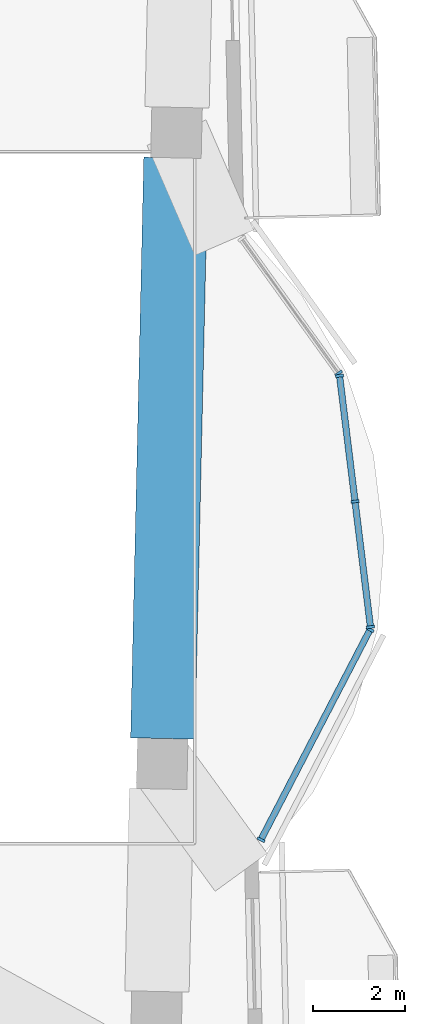
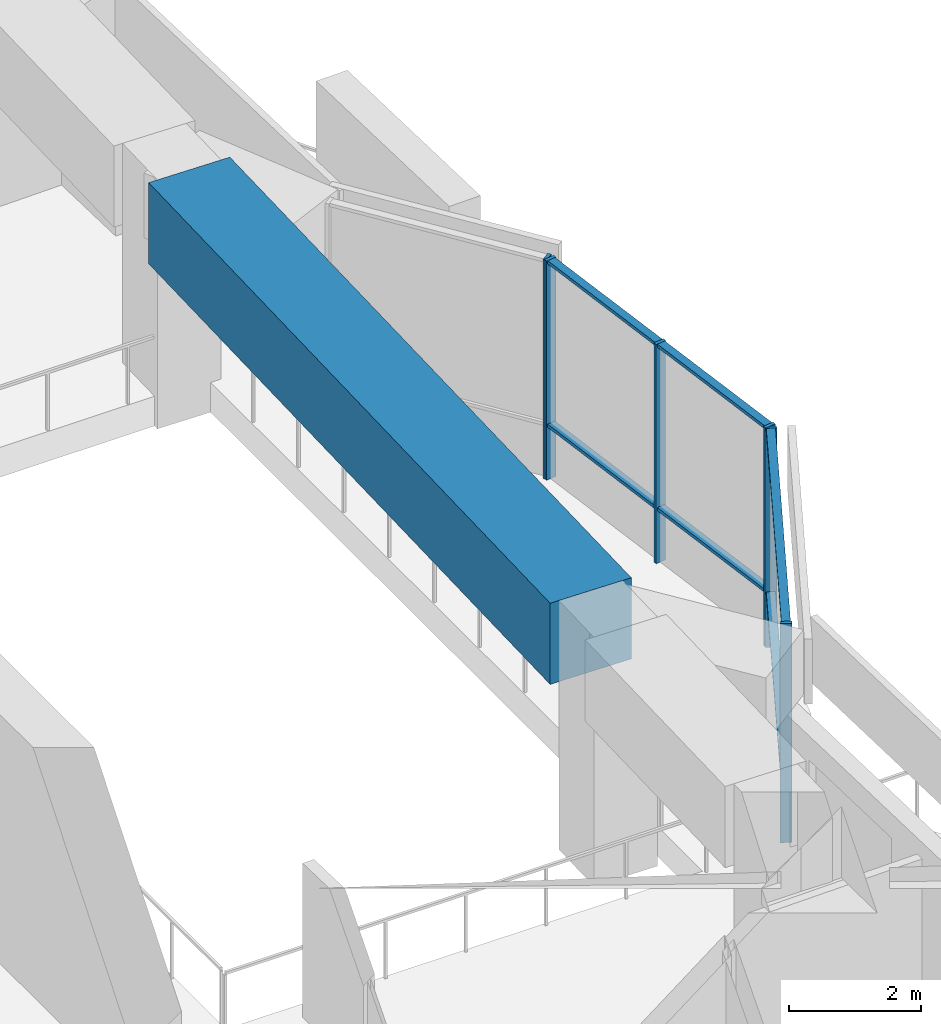
# One storey, part 4 of 19: 12 members, 1 beam, 3 elements without a shape of their own.
"""IFC4 building model written with IfcOpenShell, lengths in metres."""

import ifcopenshell
import ifcopenshell.guid

model = None  # the IFC model being written
_history = None  # IfcOwnerHistory: only IFC2X3 demands one
_inside = {}  # id of a spatial element -> (the spatial element, [elements in it])
_under = {}  # id of a project, library or spatial element -> (it, [spatial elements below it])
_declared = {}  # id of a project -> (the project, [libraries it declares])
_typed = {}  # id of a type object -> (the type object, [elements of that type])
_made_of = {}  # id of a material, layer set ... -> (it, [elements and type objects made of it])


def new_model(schema):
    """Start an empty IFC model of exactly this schema.

    Asked for "IFC4X3", IfcOpenShell would pick the latest addendum, in which some entities
    have other attributes; the version numbers below select the first issue.
    IFC2X3 requires an IfcOwnerHistory on every rooted entity: one is made here for all.
    """
    global model, _history
    if schema == "IFC4X3":
        model = ifcopenshell.file(schema_version=(4, 3, 0, 0))
    else:
        model = ifcopenshell.file(schema=schema)
    _inside.clear()
    _under.clear()
    _declared.clear()
    _typed.clear()
    _made_of.clear()
    _history = None
    if model.schema == "IFC2X3":
        org = make("IfcOrganization", Name="unknown")
        user = make(
            "IfcPersonAndOrganization",
            ThePerson=make("IfcPerson", FamilyName="unknown"),
            TheOrganization=org,
        )
        app = make(
            "IfcApplication",
            ApplicationDeveloper=org,
            Version="unknown",
            ApplicationFullName="unknown",
            ApplicationIdentifier="unknown",
        )
        _history = make(
            "IfcOwnerHistory",
            OwningUser=user,
            OwningApplication=app,
            ChangeAction="ADDED",
            CreationDate=0,
        )
    return model


def make(cls, **values):
    """One entity of the class cls with the attributes given. An attribute that is None is left unset."""
    return model.create_entity(
        cls, **{name: value for name, value in values.items() if value is not None}
    )


def rooted(cls, **values):
    """An entity with a GlobalId (a new one), such as an element, a storey or a relation."""
    return make(cls, GlobalId=ifcopenshell.guid.new(), OwnerHistory=_history, **values)


def si_unit(unit_type, name, prefix=None):
    """IfcSIUnit, for example si_unit("LENGTHUNIT", "METRE", prefix="MILLI")."""
    return make("IfcSIUnit", UnitType=unit_type, Prefix=prefix, Name=name)


def assignment(units):
    """IfcUnitAssignment: the units of a project."""
    return None if units is None else make("IfcUnitAssignment", Units=units)


def point(xyz):
    """IfcCartesianPoint."""
    return None if xyz is None else make("IfcCartesianPoint", Coordinates=xyz)


def direction(xyz):
    """IfcDirection."""
    return None if xyz is None else make("IfcDirection", DirectionRatios=xyz)


def frame(location, z_axis=None, x_axis=None):
    """IfcAxis2Placement3D, a coordinate frame: its origin and axes. An axis left out is left unset."""
    return make(
        "IfcAxis2Placement3D",
        Location=point(location),
        Axis=direction(z_axis),
        RefDirection=direction(x_axis),
    )


def frame_2d(location, x_axis=None):
    """IfcAxis2Placement2D, a coordinate frame in the plane: its origin and x axis."""
    return make(
        "IfcAxis2Placement2D", Location=point(location), RefDirection=direction(x_axis)
    )


def origin():
    """The frame at (0, 0, 0) with its axes left unset."""
    return frame((0.0, 0.0, 0.0))


def origin_2d():
    """The frame at (0, 0) in the plane with its x axis left unset."""
    return frame_2d((0.0, 0.0))


def place(relative_to, where):
    """IfcLocalPlacement: puts the frame where relative to a parent placement (None: the world)."""
    return make(
        "IfcLocalPlacement", PlacementRelTo=relative_to, RelativePlacement=where
    )


def context(
    kind, dimensions, precision=None, world=None, true_north=None, identifier=None
):
    """IfcGeometricRepresentationContext, for example the 3D "Model" context."""
    return make(
        "IfcGeometricRepresentationContext",
        ContextIdentifier=identifier,
        ContextType=kind,
        CoordinateSpaceDimension=dimensions,
        Precision=precision,
        WorldCoordinateSystem=world,
        TrueNorth=true_north,
    )


def subcontext(parent, identifier, kind, view, scale=None):
    """IfcGeometricRepresentationSubContext, for example "Body" below "Model"."""
    return make(
        "IfcGeometricRepresentationSubContext",
        ContextIdentifier=identifier,
        ContextType=kind,
        ParentContext=parent,
        TargetScale=scale,
        TargetView=view,
    )


def project(units=None, contexts=None):
    """IfcProject with its units and contexts."""
    return rooted(
        "IfcProject",
        Name="project",
        RepresentationContexts=contexts,
        UnitsInContext=assignment(units),
    )


def spatial(cls, under=None, at=None, **own):
    """A site, building, storey or space (cls), placed at a placement, below another one or the project."""
    s = rooted(cls, ObjectPlacement=at, **own)
    if under is not None:
        _under.setdefault(under.id(), (under, []))[1].append(s)
    return s


def profile(cls, at=None, kind="AREA", **sizes):
    """A parametric profile (cls). Its sizes go by their IFC names, for example OverallWidth=200.0."""
    return make(cls, ProfileType=kind, Position=at, **sizes)


def rectangle(**sizes):
    """IfcRectangleProfileDef."""
    return profile("IfcRectangleProfileDef", **sizes)


def extrude(swept, where, along, depth):
    """IfcExtrudedAreaSolid: the profile swept, set in the frame where, extruded along a direction by depth."""
    return make(
        "IfcExtrudedAreaSolid",
        SweptArea=swept,
        Position=where,
        ExtrudedDirection=direction(along),
        Depth=depth,
    )


def shape(context_of_items, identifier, shape_type, items):
    """IfcShapeRepresentation: the items that make up one representation, for example the "Body"."""
    return make(
        "IfcShapeRepresentation",
        ContextOfItems=context_of_items,
        RepresentationIdentifier=identifier,
        RepresentationType=shape_type,
        Items=items,
    )


def material(Name=None, Category=None):
    """IfcMaterial."""
    return make("IfcMaterial", Name=Name, Category=Category)


def material_profile(
    of_material, cross_section, Name=None, Category=None, Priority=None
):
    """IfcMaterialProfile: a cross section and its material."""
    return make(
        "IfcMaterialProfile",
        Name=Name,
        Material=of_material,
        Profile=cross_section,
        Priority=Priority,
        Category=Category,
    )


def profile_set(profiles, Name=None, composite=None):
    """IfcMaterialProfileSet."""
    return make(
        "IfcMaterialProfileSet",
        Name=Name,
        MaterialProfiles=profiles,
        CompositeProfile=composite,
    )


def made_of(thing, what):
    """Note that an element or type object is made of a material, layer set ...; save() writes the relation."""
    if what is not None:
        _made_of.setdefault(what.id(), (what, []))[1].append(thing)
    return thing


def type_object(cls, material=None, **own):
    """A type object (cls), such as IfcWallType, which elements share."""
    return made_of(rooted(cls, **own), material)


def element(
    cls,
    number,
    at=None,
    inside=None,
    cuts=None,
    type_object=None,
    material=None,
    context=None,
    identifier="Body",
    shape_type=None,
    held_by="IfcProductDefinitionShape",
    body=None,
    shapes=None,
    **own,
):
    """One element of the class cls, such as IfcWall. Its Tag is "e" and its number.

    at: its placement. inside: the storey or other place that contains it. cuts: it is an
    opening in that element (IfcRelVoidsElement). A single representation is given by context,
    identifier, shape_type and body (its items); several are given by shapes. held_by: the class
    of the entity that holds the representations. save() writes the other relations.
    """
    e = rooted(cls, Tag="e%d" % number, ObjectPlacement=at, **own)
    if body is not None:
        shapes = [shape(context, identifier, shape_type, body)]
    if shapes is not None:
        e.Representation = make(held_by, Representations=shapes)
    if inside is not None:
        _inside.setdefault(inside.id(), (inside, []))[1].append(e)
    if cuts is not None:
        rooted(
            "IfcRelVoidsElement", RelatingBuildingElement=cuts, RelatedOpeningElement=e
        )
    if type_object is not None:
        _typed.setdefault(type_object.id(), (type_object, []))[1].append(e)
    return made_of(e, material)


def aggregate(whole, parts):
    """IfcRelAggregates: a whole, such as a stair, and the parts it consists of."""
    return rooted("IfcRelAggregates", RelatingObject=whole, RelatedObjects=parts)


def save(model, path):
    """Write the relations noted so far, then the file.

    IfcRelAggregates (storeys below a building ...), IfcRelContainedInSpatialStructure (elements
    in a storey), IfcRelDefinesByType, IfcRelAssociatesMaterial and IfcRelDeclares: one each for
    every whole, place, type object, material and project.
    """
    for whole, parts in _under.values():
        aggregate(whole, parts)
    for where, things in _inside.values():
        rooted(
            "IfcRelContainedInSpatialStructure",
            RelatedElements=things,
            RelatingStructure=where,
        )
    for kind, things in _typed.values():
        rooted("IfcRelDefinesByType", RelatedObjects=things, RelatingType=kind)
    for what, things in _made_of.values():
        rooted("IfcRelAssociatesMaterial", RelatedObjects=things, RelatingMaterial=what)
    for by, libraries in _declared.values():
        rooted("IfcRelDeclares", RelatingContext=by, RelatedDefinitions=libraries)
    model.write(path)


model = new_model("IFC4")

# Units and contexts
model_context = context("Model", 3, precision=1e-05, world=origin(), true_north=direction((0.0, 1.0)))
body_context = subcontext(model_context, "Body", "Model", "MODEL_VIEW")
ifc_project = project(units=[si_unit("LENGTHUNIT", "METRE"), si_unit("AREAUNIT", "SQUARE_METRE"), si_unit("VOLUMEUNIT", "CUBIC_METRE"), si_unit("PLANEANGLEUNIT", "RADIAN"), si_unit("MASSUNIT", "GRAM", prefix="KILO")], contexts=[model_context])

# Site, building, storey
site_placement = place(None, origin())
site = spatial("IfcSite", under=ifc_project, at=site_placement, CompositionType="ELEMENT")
building_placement = place(site_placement, origin())
building = spatial("IfcBuilding", under=site, at=building_placement, Name="Mangrove Gate Tower", CompositionType="ELEMENT")
storey_placement = place(building_placement, frame((0.0, 0.0, 226.5)))
storey = spatial("IfcBuildingStorey", under=building, at=storey_placement, Name="L57", CompositionType="ELEMENT", Elevation=226.5)

# Curtain wall, members
ifc_material_1 = material(Name="Aluminium and glass curtain wall", Category="aluminium")
curtain_wall_type = type_object("IfcCurtainWallType", Name="Sky-lounge glazing wall", PredefinedType="NOTDEFINED", material=ifc_material_1)
curtain_wall_1_placement = place(storey_placement, origin())
curtain_wall_1 = element("IfcCurtainWall", 1, at=curtain_wall_1_placement, inside=storey, type_object=curtain_wall_type, Name="Sky-lounge glazing E1f1", PredefinedType="NOTDEFINED")
ifc_material_2 = material(Name="Aluminium alloy 6063-T6", Category="aluminium")
ifc_material_profile_1 = material_profile(ifc_material_2, rectangle(XDim=0.06005859375, YDim=0.179931640625, at=origin_2d()))
ifc_profile_set_1 = profile_set([ifc_material_profile_1], Name="Aluminium alloy 6063-T6")
member_type_1 = type_object("IfcMemberType", Name="Sky-lounge glazing mullion 60x180", PredefinedType="MULLION", material=ifc_profile_set_1)
member_1_placement = place(storey_placement, frame((25.7109375, -7.453369140625, 0.0), z_axis=(0.0, 0.0, 1.0), x_axis=(0.460809463705, 0.88749909192, 0.0)))
member_1 = element("IfcMember", 2, at=member_1_placement, type_object=member_type_1, Name="CWK mullion 1", PredefinedType="MULLION", context=body_context, shape_type="SweptSolid", body=[
    extrude(rectangle(XDim=0.06005859375, YDim=0.179931640625, at=origin_2d()), origin(), (0.0, 0.0, 1.0), 4.050048828125),
])
member_2_placement = place(storey_placement, frame((28.087158203125, -2.876708984375, 0.0), z_axis=(0.0, 0.0, 1.0), x_axis=(0.460809463705, 0.88749909192, 0.0)))
member_2 = element("IfcMember", 3, at=member_2_placement, type_object=member_type_1, Name="CWK mullion 2", PredefinedType="MULLION", context=body_context, shape_type="SweptSolid", body=[
    extrude(rectangle(XDim=0.06005859375, YDim=0.179931640625, at=origin_2d()), origin(), (0.0, 0.0, 1.0), 4.050048828125),
])

curtain_wall_2_placement = place(storey_placement, origin())
curtain_wall_2 = element("IfcCurtainWall", 4, at=curtain_wall_2_placement, inside=storey, type_object=curtain_wall_type, Name="Sky-lounge glazing E1f2", PredefinedType="NOTDEFINED")
member_3_placement = place(storey_placement, frame((28.096923828125, -2.820068359375, 0.0), z_axis=(0.0, 0.0, 1.0), x_axis=(-0.122172285885, 0.992508908051, 0.0)))
member_3 = element("IfcMember", 5, at=member_3_placement, type_object=member_type_1, Name="CWK mullion 1", PredefinedType="MULLION", context=body_context, shape_type="SweptSolid", body=[
    extrude(rectangle(XDim=0.06005859375, YDim=0.179931640625, at=origin_2d()), origin(), (0.0, 0.0, 1.0), 4.050048828125),
])
member_4_placement = place(storey_placement, frame((27.760009765625, -0.083984375, 0.0), z_axis=(0.0, 0.0, 1.0), x_axis=(-0.122172285885, 0.992508908051, 0.0)))
member_4 = element("IfcMember", 6, at=member_4_placement, type_object=member_type_1, Name="CWK mullion 2", PredefinedType="MULLION", context=body_context, shape_type="SweptSolid", body=[
    extrude(rectangle(XDim=0.06005859375, YDim=0.179931640625, at=origin_2d()), origin(), (0.0, 0.0, 1.0), 4.050048828125),
])
member_5_placement = place(storey_placement, frame((27.42333984375, 2.652099609375, 0.0), z_axis=(0.0, 0.0, 1.0), x_axis=(-0.122172285885, 0.992508908051, 0.0)))
member_5 = element("IfcMember", 7, at=member_5_placement, type_object=member_type_1, Name="CWK mullion 3", PredefinedType="MULLION", context=body_context, shape_type="SweptSolid", body=[
    extrude(rectangle(XDim=0.06005859375, YDim=0.179931640625, at=origin_2d()), origin(), (0.0, 0.0, 1.0), 4.050048828125),
])

# Curtain wall, member
curtain_wall_3_placement = place(storey_placement, origin())
curtain_wall_3 = element("IfcCurtainWall", 8, at=curtain_wall_3_placement, inside=storey, type_object=curtain_wall_type, Name="Sky-lounge glazing E1f3", PredefinedType="NOTDEFINED")
member_6_placement = place(storey_placement, frame((27.402587890625, 2.706298828125, 0.0), z_axis=(0.0, 0.0, 1.0), x_axis=(-0.583809888654, 0.811890395256, 0.0)))
member_6 = element("IfcMember", 9, at=member_6_placement, type_object=member_type_1, Name="CWK mullion 1", PredefinedType="MULLION", context=body_context, shape_type="SweptSolid", body=[
    extrude(rectangle(XDim=0.06005859375, YDim=0.179931640625, at=origin_2d()), origin(), (0.0, 0.0, 1.0), 4.050048828125),
])
aggregate(curtain_wall_3, [member_6])

# Member
ifc_material_3 = material(Name="Aluminium alloy 6063-T6", Category="aluminium")
ifc_material_profile_2 = material_profile(ifc_material_3, rectangle(XDim=0.06005859375, YDim=0.139892578125, at=origin_2d()))
ifc_profile_set_2 = profile_set([ifc_material_profile_2], Name="Aluminium alloy 6063-T6")
member_type_2 = type_object("IfcMemberType", Name="Sky-lounge glazing transom 60x140", PredefinedType="USERDEFINED", material=ifc_profile_set_2)
member_7_placement = place(storey_placement, frame((25.724609375, -7.4267578125, 1.0), z_axis=(0.460803661726, 0.887502104414, 0.0), x_axis=(0.0, 0.0, 1.0)))
member_7 = element("IfcMember", 10, at=member_7_placement, type_object=member_type_2, Name="CWK transom 1.2", ObjectType="TRANSOM", PredefinedType="USERDEFINED", context=body_context, shape_type="SweptSolid", body=[
    extrude(rectangle(XDim=0.06005859375, YDim=0.139892578125, at=origin_2d()), origin(), (0.0, 0.0, 1.0), 5.096923828125),
])

member_8_placement = place(storey_placement, frame((25.724609375, -7.4267578125, 4.02001953125), z_axis=(0.460803661726, 0.887502104414, 0.0), x_axis=(0.0, 0.0, 1.0)))
member_8 = element("IfcMember", 11, at=member_8_placement, type_object=member_type_2, Name="CWK transom 1.3", ObjectType="TRANSOM", PredefinedType="USERDEFINED", context=body_context, shape_type="SweptSolid", body=[
    extrude(rectangle(XDim=0.06005859375, YDim=0.139892578125, at=origin_2d()), origin(), (0.0, 0.0, 1.0), 5.096923828125),
])

aggregate(curtain_wall_1, [member_1, member_2, member_7, member_8])

member_9_placement = place(storey_placement, frame((28.09326171875, -2.790283203125, 1.0), z_axis=(-0.122218313927, 0.992503241174, 0.0), x_axis=(0.0, 0.0, 1.0)))
member_9 = element("IfcMember", 12, at=member_9_placement, type_object=member_type_2, Name="CWK transom 1.2", ObjectType="TRANSOM", PredefinedType="USERDEFINED", context=body_context, shape_type="SweptSolid", body=[
    extrude(rectangle(XDim=0.06005859375, YDim=0.139892578125, at=origin_2d()), origin(), (0.0, 0.0, 1.0), 2.69677734375),
])

member_10_placement = place(storey_placement, frame((28.09326171875, -2.790283203125, 4.02001953125), z_axis=(-0.122218313927, 0.992503241174, 0.0), x_axis=(0.0, 0.0, 1.0)))
member_10 = element("IfcMember", 13, at=member_10_placement, type_object=member_type_2, Name="CWK transom 1.3", ObjectType="TRANSOM", PredefinedType="USERDEFINED", context=body_context, shape_type="SweptSolid", body=[
    extrude(rectangle(XDim=0.06005859375, YDim=0.139892578125, at=origin_2d()), origin(), (0.0, 0.0, 1.0), 2.69677734375),
])

member_11_placement = place(storey_placement, frame((27.75634765625, -0.05419921875, 1.0), z_axis=(-0.122129132669, 0.992514219018, 0.0), x_axis=(0.0, 0.0, 1.0)))
member_11 = element("IfcMember", 14, at=member_11_placement, type_object=member_type_2, Name="CWK transom 2.2", ObjectType="TRANSOM", PredefinedType="USERDEFINED", context=body_context, shape_type="SweptSolid", body=[
    extrude(rectangle(XDim=0.06005859375, YDim=0.139892578125, at=origin_2d()), origin(), (0.0, 0.0, 1.0), 2.69677734375),
])

member_12_placement = place(storey_placement, frame((27.75634765625, -0.05419921875, 4.02001953125), z_axis=(-0.122129132669, 0.992514219018, 0.0), x_axis=(0.0, 0.0, 1.0)))
member_12 = element("IfcMember", 15, at=member_12_placement, type_object=member_type_2, Name="CWK transom 2.3", ObjectType="TRANSOM", PredefinedType="USERDEFINED", context=body_context, shape_type="SweptSolid", body=[
    extrude(rectangle(XDim=0.06005859375, YDim=0.139892578125, at=origin_2d()), origin(), (0.0, 0.0, 1.0), 2.69677734375),
])

aggregate(curtain_wall_2, [member_3, member_4, member_5, member_9, member_10, member_11, member_12])

# Beam
ifc_material_4 = material(Name="Concrete C60/75", Category="concrete")
ifc_material_profile_3 = material_profile(ifc_material_4, rectangle(XDim=1.39990234375, YDim=1.5, at=origin_2d()))
ifc_profile_set_3 = profile_set([ifc_material_profile_3], Name="Concrete C60/75")
beam_type = type_object("IfcBeamType", Name="Transfer girder RC 1400x1500 C60/75", PredefinedType="BEAM", material=ifc_profile_set_3)
beam_placement = place(storey_placement, frame((23.571533203125, -5.248779296875, 3.300048828125), z_axis=(0.022693351373, 0.999742472742, 0.0), x_axis=(-0.999742472742, 0.022693351373, 0.0)))
element("IfcBeam", 16, at=beam_placement, inside=storey, type_object=beam_type, Name="Transfer ring girder L57 14", PredefinedType="BEAM", context=body_context, shape_type="SweptSolid", body=[
    extrude(rectangle(XDim=1.39990234375, YDim=1.5, at=origin_2d()), origin(), (0.0, 0.0, 1.0), 12.651611328125),
])

save(model, "model.ifc")
